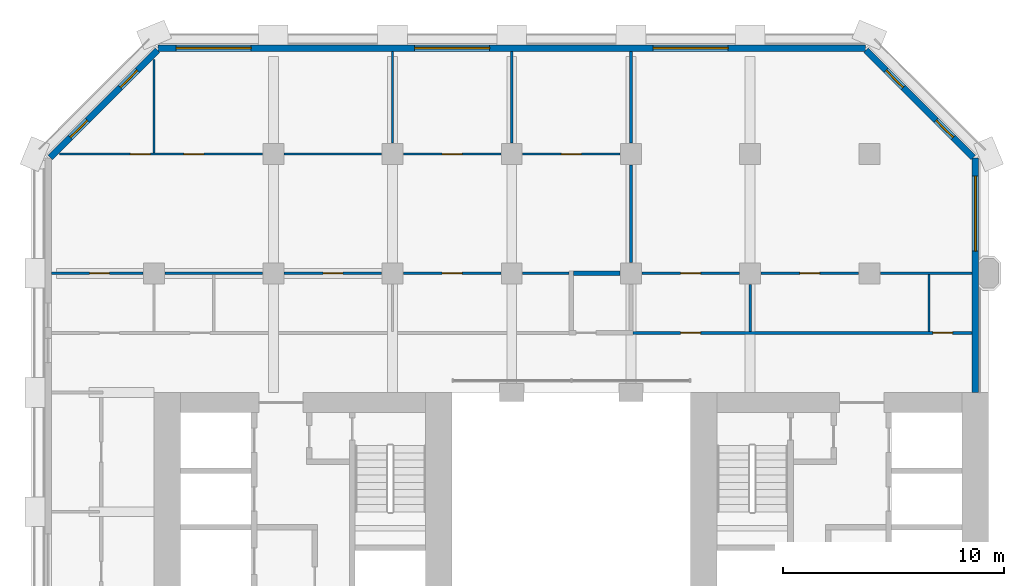
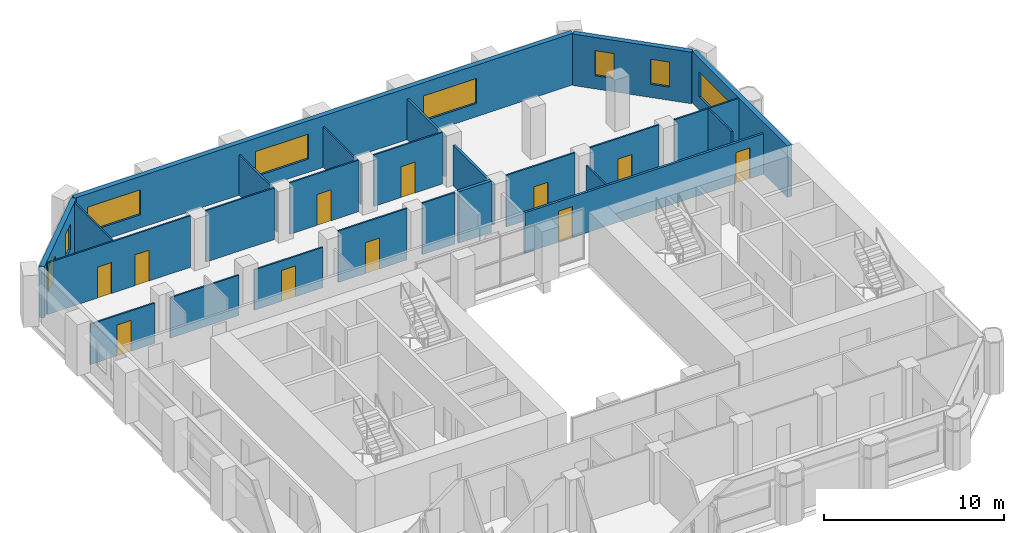
# One storey, part 9 of 13: 25 walls, 11 doors, 8 windows, 19 openings.
"""IFC4 building model written with IfcOpenShell, lengths in metres."""

from ifc_helpers import new_model, si_unit, direction, frame, frame_2d, origin, place, context, subcontext, project, spatial, rectangle, extrude, material, layer, layer_set, type_object, element, fill, save


model = new_model("IFC4")

# Units and contexts
model_context = context("Model", 3, precision=1e-05, world=origin(), true_north=direction((0.0, 1.0)))
body_context = subcontext(model_context, "Body", "Model", "MODEL_VIEW")
ifc_project = project(units=[si_unit("LENGTHUNIT", "METRE"), si_unit("AREAUNIT", "SQUARE_METRE"), si_unit("VOLUMEUNIT", "CUBIC_METRE"), si_unit("PLANEANGLEUNIT", "RADIAN"), si_unit("MASSUNIT", "GRAM", prefix="KILO")], contexts=[model_context])

# Site, building, storey
site_placement = place(None, origin())
site = spatial("IfcSite", under=ifc_project, at=site_placement, CompositionType="ELEMENT")
building_placement = place(site_placement, origin())
building = spatial("IfcBuilding", under=site, at=building_placement, Name="Tabaq Tower and Sports Hall", CompositionType="ELEMENT")
storey_placement = place(building_placement, frame((0.0, 0.0, 114.39990234375)))
storey = spatial("IfcBuildingStorey", under=building, at=storey_placement, Name="L27", CompositionType="ELEMENT", Elevation=114.39990234375)

# Wall
ifc_material_1 = material(Name="Blockwork", Category="masonry")
ifc_layer_1 = layer(ifc_material_1, 0.199951171875)
ifc_layer_set_1 = layer_set([ifc_layer_1], Name="Fire compartment wall 200 Blockwork")
wall_type_1 = type_object("IfcWallType", Name="Fire compartment wall 200 Blockwork", PredefinedType="PARTITIONING", material=ifc_layer_set_1)
wall_1_placement = place(storey_placement, frame((26.5048828125, 37.800048828125, 0.0), z_axis=(0.0, 0.0, 1.0), x_axis=(-1.0, 0.0, 0.0)))
element("IfcWall", 1, at=wall_1_placement, inside=storey, type_object=wall_type_1, Name="Compartment wall L27", PredefinedType="PARTITIONING", context=body_context, shape_type="SweptSolid", body=[
    extrude(rectangle(XDim=2.10498046875, YDim=0.199951171875, at=frame_2d((1.052490234375, 0.0))), origin(), (0.0, 0.0, 1.0), 3.5),
])

# Wall, opening, door
ifc_material_2 = material(Name="Gypsum board on steel studs", Category="steel")
ifc_layer_2 = layer(ifc_material_2, 0.10009765625)
ifc_layer_set_2 = layer_set([ifc_layer_2], Name="Partition 100 Gypsum board")
wall_type_2 = type_object("IfcWallType", Name="Partition 100 Gypsum board", PredefinedType="PARTITIONING", material=ifc_layer_set_2)
wall_2_placement = place(storey_placement, frame((4.905029296875, 37.800048828125, 0.0), z_axis=(0.0, 0.0, 1.0), x_axis=(-1.0, 0.0, 0.0)))
wall_2 = element("IfcWall", 2, at=wall_2_placement, inside=storey, type_object=wall_type_2, Name="Partition wall L27", PredefinedType="PARTITIONING", context=body_context, shape_type="SweptSolid", body=[
    extrude(rectangle(XDim=4.154052734375, YDim=0.10009765625, at=frame_2d((2.0771484375, 0.0))), origin(), (0.0, 0.0, 1.0), 2.75),
])
opening_1_placement = place(wall_2_placement, frame((1.530029296875, 0.0, 0.0)))
opening_1 = element("IfcOpeningElement", 3, at=opening_1_placement, cuts=wall_2, Name="Opening L27-028", PredefinedType="OPENING", context=body_context, shape_type="SweptSolid", body=[
    extrude(rectangle(XDim=0.89990234375, YDim=2.10009765625, at=frame_2d((0.449951171875, 1.050048828125))), frame((0.0, 0.050048828125, 0.0), z_axis=(0.0, -1.0, 0.0), x_axis=(1.0, 0.0, 0.0)), (0.0, 0.0, 1.0), 0.10009765625),
])
ifc_material_3 = material(Name="Timber leaf in steel frame", Category="steel")
door_type_1 = type_object("IfcDoorType", Name="Internal door 900 right hand", OperationType="SINGLE_SWING_RIGHT", PredefinedType="DOOR", material=ifc_material_3)
door_1_placement = place(opening_1_placement, origin())
door_1 = element("IfcDoor", 4, at=door_1_placement, inside=storey, type_object=door_type_1, Name="Internal door L27-028", OperationType="SINGLE_SWING_RIGHT", OverallHeight=2.10009765625, OverallWidth=0.89990234375, PredefinedType="DOOR", context=body_context, shape_type="SweptSolid", body=[
    extrude(rectangle(XDim=0.89990234375, YDim=2.10009765625, at=frame_2d((0.449951171875, 1.050048828125))), frame((0.0, 0.02490234375, 0.0), z_axis=(0.0, -1.0, 0.0), x_axis=(1.0, 0.0, 0.0)), (0.0, 0.0, 1.0), 0.050048828125),
])
fill(opening_1, door_1)

wall_3_placement = place(storey_placement, frame((15.705078125, 37.800048828125, 0.0), z_axis=(0.0, 0.0, 1.0), x_axis=(-1.0, 0.0, 0.0)))
wall_3 = element("IfcWall", 5, at=wall_3_placement, inside=storey, type_object=wall_type_2, Name="Partition wall L27", PredefinedType="PARTITIONING", context=body_context, shape_type="SweptSolid", body=[
    extrude(rectangle(XDim=4.41015625, YDim=0.10009765625, at=frame_2d((2.205078125, 0.0))), origin(), (0.0, 0.0, 1.0), 2.75),
])
opening_2_placement = place(wall_3_placement, frame((1.7548828125, 0.0, 0.0)))
opening_2 = element("IfcOpeningElement", 6, at=opening_2_placement, cuts=wall_3, Name="Opening L27-012", PredefinedType="OPENING", context=body_context, shape_type="SweptSolid", body=[
    extrude(rectangle(XDim=0.89990234375, YDim=2.10009765625, at=frame_2d((0.449951171875, 1.050048828125))), frame((0.0, 0.050048828125, 0.0), z_axis=(0.0, -1.0, 0.0), x_axis=(1.0, 0.0, 0.0)), (0.0, 0.0, 1.0), 0.10009765625),
])
ifc_material_4 = material(Name="Timber leaf in steel frame", Category="steel")
door_type_2 = type_object("IfcDoorType", Name="Internal door 900 left hand", OperationType="SINGLE_SWING_LEFT", PredefinedType="DOOR", material=ifc_material_4)
door_2_placement = place(opening_2_placement, origin())
door_2 = element("IfcDoor", 7, at=door_2_placement, inside=storey, type_object=door_type_2, Name="Internal door L27-012", OperationType="SINGLE_SWING_LEFT", OverallHeight=2.10009765625, OverallWidth=0.89990234375, PredefinedType="DOOR", context=body_context, shape_type="SweptSolid", body=[
    extrude(rectangle(XDim=0.89990234375, YDim=2.10009765625, at=frame_2d((0.449951171875, 1.050048828125))), frame((0.0, 0.02490234375, 0.0), z_axis=(0.0, -1.0, 0.0), x_axis=(1.0, 0.0, 0.0)), (0.0, 0.0, 1.0), 0.050048828125),
])
fill(opening_2, door_2)

# Walls
wall_4_placement = place(storey_placement, frame((10.304931640625, 37.800048828125, 0.0), z_axis=(0.0, 0.0, 1.0), x_axis=(-1.0, 0.0, 0.0)))
element("IfcWall", 8, at=wall_4_placement, inside=storey, type_object=wall_type_2, Name="Partition wall L27", PredefinedType="PARTITIONING", context=body_context, shape_type="SweptSolid", body=[
    extrude(rectangle(XDim=4.409912109375, YDim=0.10009765625, at=frame_2d((2.205078125, 0.0))), origin(), (0.0, 0.0, 1.0), 2.75),
])
wall_5_placement = place(storey_placement, frame((24.199951171875, 37.800048828125, 0.0), z_axis=(0.0, 0.0, 1.0), x_axis=(-1.0, 0.0, 0.0)))
element("IfcWall", 9, at=wall_5_placement, inside=storey, type_object=wall_type_2, Name="Partition wall L27", PredefinedType="PARTITIONING", context=body_context, shape_type="SweptSolid", body=[
    extrude(rectangle(XDim=2.10498046875, YDim=0.10009765625, at=frame_2d((1.052490234375, 0.0))), origin(), (0.0, 0.0, 1.0), 3.5),
])

# Wall, opening, door
wall_6_placement = place(storey_placement, frame((21.10498046875, 37.800048828125, 0.0), z_axis=(0.0, 0.0, 1.0), x_axis=(-1.0, 0.0, 0.0)))
wall_6 = element("IfcWall", 10, at=wall_6_placement, inside=storey, type_object=wall_type_2, Name="Partition wall L27", PredefinedType="PARTITIONING", context=body_context, shape_type="SweptSolid", body=[
    extrude(rectangle(XDim=4.409912109375, YDim=0.10009765625, at=frame_2d((2.205078125, 0.0))), origin(), (0.0, 0.0, 1.0), 3.5),
])
opening_3_placement = place(wall_6_placement, frame((1.7548828125, 0.0, 0.0)))
opening_3 = element("IfcOpeningElement", 11, at=opening_3_placement, cuts=wall_6, Name="Opening L27-013", PredefinedType="OPENING", context=body_context, shape_type="SweptSolid", body=[
    extrude(rectangle(XDim=0.89990234375, YDim=2.10009765625, at=frame_2d((0.449951171875, 1.050048828125))), frame((0.0, 0.050048828125, 0.0), z_axis=(0.0, -1.0, 0.0), x_axis=(1.0, 0.0, 0.0)), (0.0, 0.0, 1.0), 0.10009765625),
])
door_3_placement = place(opening_3_placement, origin())
door_3 = element("IfcDoor", 12, at=door_3_placement, inside=storey, type_object=door_type_1, Name="Internal door L27-013", OperationType="SINGLE_SWING_RIGHT", OverallHeight=2.10009765625, OverallWidth=0.89990234375, PredefinedType="DOOR", context=body_context, shape_type="SweptSolid", body=[
    extrude(rectangle(XDim=0.89990234375, YDim=2.10009765625, at=frame_2d((0.449951171875, 1.050048828125))), frame((0.0, 0.02490234375, 0.0), z_axis=(0.0, -1.0, 0.0), x_axis=(1.0, 0.0, 0.0)), (0.0, 0.0, 1.0), 0.050048828125),
])
fill(opening_3, door_3)

wall_7_placement = place(storey_placement, frame((26.5048828125, 43.199951171875, 0.0), z_axis=(0.0, 0.0, 1.0), x_axis=(-1.0, 0.0, 0.0)))
wall_7 = element("IfcWall", 13, at=wall_7_placement, inside=storey, type_object=wall_type_2, Name="Partition wall L27", PredefinedType="PARTITIONING", context=body_context, shape_type="SweptSolid", body=[
    extrude(rectangle(XDim=4.409912109375, YDim=0.10009765625, at=frame_2d((2.205078125, 0.0))), origin(), (0.0, 0.0, 1.0), 3.5),
])
opening_4_placement = place(wall_7_placement, frame((1.7548828125, 0.0, 0.0)))
opening_4 = element("IfcOpeningElement", 14, at=opening_4_placement, cuts=wall_7, Name="Opening L27-017", PredefinedType="OPENING", context=body_context, shape_type="SweptSolid", body=[
    extrude(rectangle(XDim=0.89990234375, YDim=2.10009765625, at=frame_2d((0.449951171875, 1.050048828125))), frame((0.0, 0.050048828125, 0.0), z_axis=(0.0, -1.0, 0.0), x_axis=(1.0, 0.0, 0.0)), (0.0, 0.0, 1.0), 0.10009765625),
])
door_4_placement = place(opening_4_placement, origin())
door_4 = element("IfcDoor", 15, at=door_4_placement, inside=storey, type_object=door_type_2, Name="Internal door L27-017", OperationType="SINGLE_SWING_LEFT", OverallHeight=2.10009765625, OverallWidth=0.89990234375, PredefinedType="DOOR", context=body_context, shape_type="SweptSolid", body=[
    extrude(rectangle(XDim=0.89990234375, YDim=2.10009765625, at=frame_2d((0.449951171875, 1.050048828125))), frame((0.0, 0.02490234375, 0.0), z_axis=(0.0, -1.0, 0.0), x_axis=(1.0, 0.0, 0.0)), (0.0, 0.0, 1.0), 0.050048828125),
])
fill(opening_4, door_4)

wall_8_placement = place(storey_placement, frame((21.10498046875, 43.199951171875, 0.0), z_axis=(0.0, 0.0, 1.0), x_axis=(-1.0, 0.0, 0.0)))
wall_8 = element("IfcWall", 16, at=wall_8_placement, inside=storey, type_object=wall_type_2, Name="Partition wall L27", PredefinedType="PARTITIONING", context=body_context, shape_type="SweptSolid", body=[
    extrude(rectangle(XDim=4.409912109375, YDim=0.10009765625, at=frame_2d((2.205078125, 0.0))), origin(), (0.0, 0.0, 1.0), 3.5),
])
opening_5_placement = place(wall_8_placement, frame((1.7548828125, 0.0, 0.0)))
opening_5 = element("IfcOpeningElement", 17, at=opening_5_placement, cuts=wall_8, Name="Opening L27-016", PredefinedType="OPENING", context=body_context, shape_type="SweptSolid", body=[
    extrude(rectangle(XDim=0.89990234375, YDim=2.10009765625, at=frame_2d((0.449951171875, 1.050048828125))), frame((0.0, 0.050048828125, 0.0), z_axis=(0.0, -1.0, 0.0), x_axis=(1.0, 0.0, 0.0)), (0.0, 0.0, 1.0), 0.10009765625),
])
door_5_placement = place(opening_5_placement, origin())
door_5 = element("IfcDoor", 18, at=door_5_placement, inside=storey, type_object=door_type_2, Name="Internal door L27-016", OperationType="SINGLE_SWING_LEFT", OverallHeight=2.10009765625, OverallWidth=0.89990234375, PredefinedType="DOOR", context=body_context, shape_type="SweptSolid", body=[
    extrude(rectangle(XDim=0.89990234375, YDim=2.10009765625, at=frame_2d((0.449951171875, 1.050048828125))), frame((0.0, 0.02490234375, 0.0), z_axis=(0.0, -1.0, 0.0), x_axis=(1.0, 0.0, 0.0)), (0.0, 0.0, 1.0), 0.050048828125),
])
fill(opening_5, door_5)

# Wall
wall_9_placement = place(storey_placement, frame((15.705078125, 43.199951171875, 0.0), z_axis=(0.0, 0.0, 1.0), x_axis=(-1.0, 0.0, 0.0)))
element("IfcWall", 19, at=wall_9_placement, inside=storey, type_object=wall_type_2, Name="Partition wall L27", PredefinedType="PARTITIONING", context=body_context, shape_type="SweptSolid", body=[
    extrude(rectangle(XDim=4.41015625, YDim=0.10009765625, at=frame_2d((2.205078125, 0.0))), origin(), (0.0, 0.0, 1.0), 3.5),
])

# Wall, openings, doors
wall_10_placement = place(storey_placement, frame((10.304931640625, 43.199951171875, 0.0), z_axis=(0.0, 0.0, 1.0), x_axis=(-1.0, 0.0, 0.0)))
wall_10 = element("IfcWall", 20, at=wall_10_placement, inside=storey, type_object=wall_type_2, Name="Partition wall L27", PredefinedType="PARTITIONING", context=body_context, shape_type="SweptSolid", body=[
    extrude(rectangle(XDim=9.19287109375, YDim=0.10009765625, at=frame_2d((4.596435546875, 0.0))), origin(), (0.0, 0.0, 1.0), 3.5),
])
opening_6_placement = place(wall_10_placement, frame((5.074951171875, 0.0, 0.0)))
opening_6 = element("IfcOpeningElement", 21, at=opening_6_placement, cuts=wall_10, Name="Opening L27-014", PredefinedType="OPENING", context=body_context, shape_type="SweptSolid", body=[
    extrude(rectangle(XDim=0.89990234375, YDim=2.10009765625, at=frame_2d((0.449951171875, 1.050048828125))), frame((0.0, 0.050048828125, 0.0), z_axis=(0.0, -1.0, 0.0), x_axis=(1.0, 0.0, 0.0)), (0.0, 0.0, 1.0), 0.10009765625),
])
opening_7_placement = place(wall_10_placement, frame((2.655029296875, 0.0, 0.0)))
opening_7 = element("IfcOpeningElement", 22, at=opening_7_placement, cuts=wall_10, Name="Opening L27-015", PredefinedType="OPENING", context=body_context, shape_type="SweptSolid", body=[
    extrude(rectangle(XDim=0.89990234375, YDim=2.10009765625, at=frame_2d((0.449951171875, 1.050048828125))), frame((0.0, 0.050048828125, 0.0), z_axis=(0.0, -1.0, 0.0), x_axis=(1.0, 0.0, 0.0)), (0.0, 0.0, 1.0), 0.10009765625),
])
door_6_placement = place(opening_6_placement, origin())
door_6 = element("IfcDoor", 23, at=door_6_placement, inside=storey, type_object=door_type_2, Name="Internal door L27-014", OperationType="SINGLE_SWING_LEFT", OverallHeight=2.10009765625, OverallWidth=0.89990234375, PredefinedType="DOOR", context=body_context, shape_type="SweptSolid", body=[
    extrude(rectangle(XDim=0.89990234375, YDim=2.10009765625, at=frame_2d((0.449951171875, 1.050048828125))), frame((0.0, 0.02490234375, 0.0), z_axis=(0.0, -1.0, 0.0), x_axis=(1.0, 0.0, 0.0)), (0.0, 0.0, 1.0), 0.050048828125),
])
fill(opening_6, door_6)
door_7_placement = place(opening_7_placement, origin())
door_7 = element("IfcDoor", 24, at=door_7_placement, inside=storey, type_object=door_type_2, Name="Internal door L27-015", OperationType="SINGLE_SWING_LEFT", OverallHeight=2.10009765625, OverallWidth=0.89990234375, PredefinedType="DOOR", context=body_context, shape_type="SweptSolid", body=[
    extrude(rectangle(XDim=0.89990234375, YDim=2.10009765625, at=frame_2d((0.449951171875, 1.050048828125))), frame((0.0, 0.02490234375, 0.0), z_axis=(0.0, -1.0, 0.0), x_axis=(1.0, 0.0, 0.0)), (0.0, 0.0, 1.0), 0.050048828125),
])
fill(opening_7, door_7)

# Walls
wall_11_placement = place(storey_placement, frame((5.39990234375, 43.25, 0.0), z_axis=(0.0, 0.0, 1.0), x_axis=(0.0, 1.0, 0.0)))
element("IfcWall", 25, at=wall_11_placement, inside=storey, type_object=wall_type_2, Name="Partition wall L27", PredefinedType="PARTITIONING", context=body_context, shape_type="SweptSolid", body=[
    extrude(rectangle(XDim=4.23779296875, YDim=0.10009765625, at=frame_2d((2.118896484375, 0.0))), origin(), (0.0, 0.0, 1.0), 3.5),
])
for number, where, z_axis, x_axis, name in (
    (26, (16.199951171875, 43.695068359375, 0.0), (0.0, 0.0, 1.0), (0.0, 1.0, 0.0), "Partition wall L27"),
    (27, (21.60009765625, 43.695068359375, 0.0), (0.0, 0.0, 1.0), (0.0, 1.0, 0.0), "Partition wall L27"),
):
    element("IfcWall", number, at=place(storey_placement, frame(where, z_axis=z_axis, x_axis=x_axis)), inside=storey, type_object=wall_type_2, Name=name, PredefinedType="PARTITIONING", context=body_context, shape_type="SweptSolid", body=[
        extrude(rectangle(XDim=4.154052734375, YDim=0.10009765625, at=frame_2d((2.0771484375, 0.0))), origin(), (0.0, 0.0, 1.0), 2.75),
    ])
wall_12_placement = place(storey_placement, frame((32.39990234375, 35.175048828125, 0.0), z_axis=(0.0, 0.0, 1.0), x_axis=(0.0, 1.0, 0.0)))
element("IfcWall", 28, at=wall_12_placement, inside=storey, type_object=wall_type_2, Name="Partition wall L27", PredefinedType="PARTITIONING", context=body_context, shape_type="SweptSolid", body=[
    extrude(rectangle(XDim=2.1298828125, YDim=0.10009765625, at=frame_2d((1.06494140625, 0.0))), origin(), (0.0, 0.0, 1.0), 2.75),
])

# Wall, opening, door
wall_13_placement = place(storey_placement, frame((31.905029296875, 37.800048828125, 0.0), z_axis=(0.0, 0.0, 1.0), x_axis=(-1.0, 0.0, 0.0)))
wall_13 = element("IfcWall", 29, at=wall_13_placement, inside=storey, type_object=wall_type_2, Name="Partition wall L27", PredefinedType="PARTITIONING", context=body_context, shape_type="SweptSolid", body=[
    extrude(rectangle(XDim=4.409912109375, YDim=0.10009765625, at=frame_2d((2.205078125, 0.0))), origin(), (0.0, 0.0, 1.0), 3.5),
])
opening_8_placement = place(wall_13_placement, frame((1.7548828125, 0.0, 0.0)))
opening_8 = element("IfcOpeningElement", 30, at=opening_8_placement, cuts=wall_13, Name="Opening L27-029", PredefinedType="OPENING", context=body_context, shape_type="SweptSolid", body=[
    extrude(rectangle(XDim=0.89990234375, YDim=2.10009765625, at=frame_2d((0.449951171875, 1.050048828125))), frame((0.0, 0.050048828125, 0.0), z_axis=(0.0, -1.0, 0.0), x_axis=(1.0, 0.0, 0.0)), (0.0, 0.0, 1.0), 0.10009765625),
])
door_8_placement = place(opening_8_placement, origin())
door_8 = element("IfcDoor", 31, at=door_8_placement, inside=storey, type_object=door_type_2, Name="Internal door L27-029", OperationType="SINGLE_SWING_LEFT", OverallHeight=2.10009765625, OverallWidth=0.89990234375, PredefinedType="DOOR", context=body_context, shape_type="SweptSolid", body=[
    extrude(rectangle(XDim=0.89990234375, YDim=2.10009765625, at=frame_2d((0.449951171875, 1.050048828125))), frame((0.0, 0.02490234375, 0.0), z_axis=(0.0, -1.0, 0.0), x_axis=(1.0, 0.0, 0.0)), (0.0, 0.0, 1.0), 0.050048828125),
])
fill(opening_8, door_8)

# Wall
wall_14_placement = place(storey_placement, frame((40.5, 35.175048828125, 0.0), z_axis=(0.0, 0.0, 1.0), x_axis=(0.0, 1.0, 0.0)))
element("IfcWall", 32, at=wall_14_placement, inside=storey, type_object=wall_type_2, Name="Partition wall L27", PredefinedType="PARTITIONING", context=body_context, shape_type="SweptSolid", body=[
    extrude(rectangle(XDim=2.574951171875, YDim=0.10009765625, at=frame_2d((1.28759765625, 0.0))), origin(), (0.0, 0.0, 1.0), 3.5),
])

# Wall, opening, door
wall_15_placement = place(storey_placement, frame((37.304931640625, 37.800048828125, 0.0), z_axis=(0.0, 0.0, 1.0), x_axis=(-1.0, 0.0, 0.0)))
wall_15 = element("IfcWall", 33, at=wall_15_placement, inside=storey, type_object=wall_type_2, Name="Partition wall L27", PredefinedType="PARTITIONING", context=body_context, shape_type="SweptSolid", body=[
    extrude(rectangle(XDim=4.409912109375, YDim=0.10009765625, at=frame_2d((2.205078125, 0.0))), origin(), (0.0, 0.0, 1.0), 3.5),
])
opening_9_placement = place(wall_15_placement, frame((1.7548828125, 0.0, 0.0)))
opening_9 = element("IfcOpeningElement", 34, at=opening_9_placement, cuts=wall_15, Name="Opening L27-018", PredefinedType="OPENING", context=body_context, shape_type="SweptSolid", body=[
    extrude(rectangle(XDim=0.89990234375, YDim=2.10009765625, at=frame_2d((0.449951171875, 1.050048828125))), frame((0.0, 0.050048828125, 0.0), z_axis=(0.0, -1.0, 0.0), x_axis=(1.0, 0.0, 0.0)), (0.0, 0.0, 1.0), 0.10009765625),
])
door_9_placement = place(opening_9_placement, origin())
door_9 = element("IfcDoor", 35, at=door_9_placement, inside=storey, type_object=door_type_1, Name="Internal door L27-018", OperationType="SINGLE_SWING_RIGHT", OverallHeight=2.10009765625, OverallWidth=0.89990234375, PredefinedType="DOOR", context=body_context, shape_type="SweptSolid", body=[
    extrude(rectangle(XDim=0.89990234375, YDim=2.10009765625, at=frame_2d((0.449951171875, 1.050048828125))), frame((0.0, 0.02490234375, 0.0), z_axis=(0.0, -1.0, 0.0), x_axis=(1.0, 0.0, 0.0)), (0.0, 0.0, 1.0), 0.050048828125),
])
fill(opening_9, door_9)

# Wall
wall_16_placement = place(storey_placement, frame((42.448974609375, 37.800048828125, 0.0), z_axis=(0.0, 0.0, 1.0), x_axis=(-1.0, 0.0, 0.0)))
element("IfcWall", 36, at=wall_16_placement, inside=storey, type_object=wall_type_2, Name="Partition wall L27", PredefinedType="PARTITIONING", context=body_context, shape_type="SweptSolid", body=[
    extrude(rectangle(XDim=4.154052734375, YDim=0.10009765625, at=frame_2d((2.0771484375, 0.0))), origin(), (0.0, 0.0, 1.0), 3.5),
])

# Wall, openings, doors
ifc_material_5 = material(Name="Blockwork", Category="masonry")
ifc_layer_3 = layer(ifc_material_5, 0.14990234375)
ifc_layer_set_3 = layer_set([ifc_layer_3], Name="Separating wall 150 Blockwork")
wall_type_3 = type_object("IfcWallType", Name="Separating wall 150 Blockwork", PredefinedType="PARTITIONING", material=ifc_layer_set_3)
wall_17_placement = place(storey_placement, frame((42.448974609375, 35.10009765625, 0.0), z_axis=(0.0, 0.0, 1.0), x_axis=(-1.0, 0.0, 0.0)))
wall_17 = element("IfcWall", 37, at=wall_17_placement, inside=storey, type_object=wall_type_3, Name="Separating wall L27", PredefinedType="PARTITIONING", context=body_context, shape_type="SweptSolid", body=[
    extrude(rectangle(XDim=15.348876953125, YDim=0.14990234375, at=frame_2d((7.67431640625, 0.0))), origin(), (0.0, 0.0, 1.0), 2.75),
])
opening_10_placement = place(wall_17_placement, frame((0.87890625, 0.0, 0.0)))
opening_10 = element("IfcOpeningElement", 38, at=opening_10_placement, cuts=wall_17, Name="Opening L27-003", PredefinedType="OPENING", context=body_context, shape_type="SweptSolid", body=[
    extrude(rectangle(XDim=0.89990234375, YDim=2.10009765625, at=frame_2d((0.449951171875, 1.050048828125))), frame((0.0, 0.074951171875, 0.0), z_axis=(0.0, -1.0, 0.0), x_axis=(1.0, 0.0, 0.0)), (0.0, 0.0, 1.0), 0.14990234375),
])
opening_11_placement = place(wall_17_placement, frame((12.299072265625, 0.0, 0.0)))
opening_11 = element("IfcOpeningElement", 39, at=opening_11_placement, cuts=wall_17, Name="Opening L27-026", PredefinedType="OPENING", context=body_context, shape_type="SweptSolid", body=[
    extrude(rectangle(XDim=0.89990234375, YDim=2.10009765625, at=frame_2d((0.449951171875, 1.050048828125))), frame((0.0, 0.074951171875, 0.0), z_axis=(0.0, -1.0, 0.0), x_axis=(1.0, 0.0, 0.0)), (0.0, 0.0, 1.0), 0.14990234375),
])
ifc_material_6 = material(Name="Steel fire door", Category="steel")
door_type_3 = type_object("IfcDoorType", Name="Entrance door 900 right hand", OperationType="SINGLE_SWING_RIGHT", PredefinedType="DOOR", material=ifc_material_6)
door_10_placement = place(opening_10_placement, origin())
door_10 = element("IfcDoor", 40, at=door_10_placement, inside=storey, type_object=door_type_3, Name="Entrance door L27-003", OperationType="SINGLE_SWING_RIGHT", OverallHeight=2.10009765625, OverallWidth=0.89990234375, PredefinedType="DOOR", context=body_context, shape_type="SweptSolid", body=[
    extrude(rectangle(XDim=0.89990234375, YDim=2.10009765625, at=frame_2d((0.449951171875, 1.050048828125))), frame((0.0, 0.02490234375, 0.0), z_axis=(0.0, -1.0, 0.0), x_axis=(1.0, 0.0, 0.0)), (0.0, 0.0, 1.0), 0.050048828125),
])
fill(opening_10, door_10)
door_11_placement = place(opening_11_placement, origin())
door_11 = element("IfcDoor", 41, at=door_11_placement, inside=storey, type_object=door_type_3, Name="Entrance door L27-026", OperationType="SINGLE_SWING_RIGHT", OverallHeight=2.10009765625, OverallWidth=0.89990234375, PredefinedType="DOOR", context=body_context, shape_type="SweptSolid", body=[
    extrude(rectangle(XDim=0.89990234375, YDim=2.10009765625, at=frame_2d((0.449951171875, 1.050048828125))), frame((0.0, 0.02490234375, 0.0), z_axis=(0.0, -1.0, 0.0), x_axis=(1.0, 0.0, 0.0)), (0.0, 0.0, 1.0), 0.050048828125),
])
fill(opening_11, door_11)

# Walls
wall_18_placement = place(storey_placement, frame((27.0, 38.294921875, 0.0), z_axis=(0.0, 0.0, 1.0), x_axis=(0.0, 1.0, 0.0)))
element("IfcWall", 42, at=wall_18_placement, inside=storey, type_object=wall_type_3, Name="Separating wall L27", PredefinedType="PARTITIONING", context=body_context, shape_type="SweptSolid", body=[
    extrude(rectangle(XDim=4.41015625, YDim=0.14990234375, at=frame_2d((2.205078125, 0.0))), origin(), (0.0, 0.0, 1.0), 2.75),
])
wall_19_placement = place(storey_placement, frame((27.0, 43.695068359375, 0.0), z_axis=(0.0, 0.0, 1.0), x_axis=(0.0, 1.0, 0.0)))
element("IfcWall", 43, at=wall_19_placement, inside=storey, type_object=wall_type_3, Name="Separating wall L27", PredefinedType="PARTITIONING", context=body_context, shape_type="SweptSolid", body=[
    extrude(rectangle(XDim=4.154052734375, YDim=0.14990234375, at=frame_2d((2.0771484375, 0.0))), origin(), (0.0, 0.0, 1.0), 2.75),
])

# Wall, opening, window
ifc_material_7 = material(Name="White precast concrete C60/75", Category="concrete")
ifc_layer_4 = layer(ifc_material_7, 0.300048828125)
ifc_layer_set_4 = layer_set([ifc_layer_4], Name="White precast concrete C60/75 external wall 300")
wall_type_4 = type_object("IfcWallType", Name="White precast concrete C60/75 external wall 300", PredefinedType="SOLIDWALL", material=ifc_layer_set_4)
wall_20_placement = place(storey_placement, frame((42.60009765625, 32.39990234375, 0.0), z_axis=(0.0, 0.0, 1.0), x_axis=(0.0, 1.0, 0.0)))
wall_20 = element("IfcWall", 44, at=wall_20_placement, inside=storey, type_object=wall_type_4, Name="External Wall L27 E", PredefinedType="SOLIDWALL", context=body_context, shape_type="SweptSolid", body=[
    extrude(rectangle(XDim=10.61376953125, YDim=0.300048828125, at=frame_2d((5.306884765625, 0.0))), origin(), (0.0, 0.0, 1.0), 3.5),
])
opening_12_placement = place(wall_20_placement, frame((6.39990234375, 0.0, 0.89990234375)))
opening_12 = element("IfcOpeningElement", 45, at=opening_12_placement, cuts=wall_20, Name="Opening W1A", PredefinedType="OPENING", context=body_context, shape_type="SweptSolid", body=[
    extrude(rectangle(XDim=3.39990234375, YDim=1.699951171875, at=frame_2d((1.699951171875, 0.85009765625))), frame((0.0, 0.16015625, 0.0), z_axis=(0.0, -1.0, 0.0), x_axis=(1.0, 0.0, 0.0)), (0.0, 0.0, 1.0), 0.320068359375),
])
ifc_material_8 = material(Name="Aluminium framed clear glazing", Category="aluminium")
window_type_1 = type_object("IfcWindowType", Name="Window W1A", PartitioningType="SINGLE_PANEL", PredefinedType="WINDOW", material=ifc_material_8)
window_1_placement = place(opening_12_placement, origin())
window_1 = element("IfcWindow", 46, at=window_1_placement, inside=storey, type_object=window_type_1, Name="Window W1A L27", OverallHeight=1.699951171875, OverallWidth=3.39990234375, PartitioningType="SINGLE_PANEL", PredefinedType="WINDOW", context=body_context, shape_type="SweptSolid", body=[
    extrude(rectangle(XDim=3.39990234375, YDim=1.699951171875, at=frame_2d((1.699951171875, 0.85009765625))), frame((0.0, 0.030029296875, 0.0), z_axis=(0.0, -1.0, 0.0), x_axis=(1.0, 0.0, 0.0)), (0.0, 0.0, 1.0), 0.06005859375),
])
fill(opening_12, window_1)

# Wall, openings, windows
wall_21_placement = place(storey_placement, frame((42.5009765625, 43.050537109375, 0.0), z_axis=(0.0, 0.0, 1.0), x_axis=(-0.707106781187, 0.707106781187, 0.0)))
wall_21 = element("IfcWall", 47, at=wall_21_placement, inside=storey, type_object=wall_type_4, Name="External Wall L27 NE", PredefinedType="SOLIDWALL", context=body_context, shape_type="SweptSolid", body=[
    extrude(rectangle(XDim=6.85986328125, YDim=0.300048828125, at=frame_2d((3.429931640625, 0.0))), origin(), (0.0, 0.0, 1.0), 3.5),
])
opening_13_placement = place(wall_21_placement, frame((1.27978515625, 0.0, 0.89990234375)))
opening_13 = element("IfcOpeningElement", 48, at=opening_13_placement, cuts=wall_21, Name="Opening W1B", PredefinedType="OPENING", context=body_context, shape_type="SweptSolid", body=[
    extrude(rectangle(XDim=1.10009765625, YDim=1.699951171875, at=frame_2d((0.550048828125, 0.85009765625))), frame((0.0, 0.16015625, 0.0), z_axis=(0.0, -1.0, 0.0), x_axis=(1.0, 0.0, 0.0)), (0.0, 0.0, 1.0), 0.320068359375),
])
opening_14_placement = place(wall_21_placement, frame((4.479736328125, 0.0, 0.89990234375)))
opening_14 = element("IfcOpeningElement", 49, at=opening_14_placement, cuts=wall_21, Name="Opening W1B", PredefinedType="OPENING", context=body_context, shape_type="SweptSolid", body=[
    extrude(rectangle(XDim=1.10009765625, YDim=1.699951171875, at=frame_2d((0.550048828125, 0.85009765625))), frame((0.0, 0.16015625, 0.0), z_axis=(0.0, -1.0, 0.0), x_axis=(1.0, 0.0, 0.0)), (0.0, 0.0, 1.0), 0.320068359375),
])
ifc_material_9 = material(Name="Aluminium framed clear glazing", Category="aluminium")
window_type_2 = type_object("IfcWindowType", Name="Window W1B", PartitioningType="SINGLE_PANEL", PredefinedType="WINDOW", material=ifc_material_9)
window_2_placement = place(opening_13_placement, origin())
window_2 = element("IfcWindow", 50, at=window_2_placement, inside=storey, type_object=window_type_2, Name="Window W1B L27", OverallHeight=1.699951171875, OverallWidth=1.10009765625, PartitioningType="SINGLE_PANEL", PredefinedType="WINDOW", context=body_context, shape_type="SweptSolid", body=[
    extrude(rectangle(XDim=1.10009765625, YDim=1.699951171875, at=frame_2d((0.550048828125, 0.85009765625))), frame((0.0, 0.030029296875, 0.0), z_axis=(0.0, -1.0, 0.0), x_axis=(1.0, 0.0, 0.0)), (0.0, 0.0, 1.0), 0.06005859375),
])
fill(opening_13, window_2)
window_3_placement = place(opening_14_placement, origin())
window_3 = element("IfcWindow", 51, at=window_3_placement, inside=storey, type_object=window_type_2, Name="Window W1B L27", OverallHeight=1.699951171875, OverallWidth=1.10009765625, PartitioningType="SINGLE_PANEL", PredefinedType="WINDOW", context=body_context, shape_type="SweptSolid", body=[
    extrude(rectangle(XDim=1.10009765625, YDim=1.699951171875, at=frame_2d((0.550048828125, 0.85009765625))), frame((0.0, 0.030029296875, 0.0), z_axis=(0.0, -1.0, 0.0), x_axis=(1.0, 0.0, 0.0)), (0.0, 0.0, 1.0), 0.06005859375),
])
fill(opening_14, window_3)

wall_22_placement = place(storey_placement, frame((37.613525390625, 48.0, 0.0), z_axis=(0.0, 0.0, 1.0), x_axis=(-1.0, 0.0, 0.0)))
wall_22 = element("IfcWall", 52, at=wall_22_placement, inside=storey, type_object=wall_type_4, Name="External Wall L27 N", PredefinedType="SOLIDWALL", context=body_context, shape_type="SweptSolid", body=[
    extrude(rectangle(XDim=32.027099609375, YDim=0.300048828125, at=frame_2d((16.013671875, 0.0))), origin(), (0.0, 0.0, 1.0), 3.5),
])
opening_15_placement = place(wall_22_placement, frame((6.213623046875, 0.0, 0.89990234375)))
opening_15 = element("IfcOpeningElement", 53, at=opening_15_placement, cuts=wall_22, Name="Opening W1A", PredefinedType="OPENING", context=body_context, shape_type="SweptSolid", body=[
    extrude(rectangle(XDim=3.39990234375, YDim=1.699951171875, at=frame_2d((1.699951171875, 0.85009765625))), frame((0.0, 0.16015625, 0.0), z_axis=(0.0, -1.0, 0.0), x_axis=(1.0, 0.0, 0.0)), (0.0, 0.0, 1.0), 0.320068359375),
])
opening_16_placement = place(wall_22_placement, frame((17.013671875, 0.0, 0.89990234375)))
opening_16 = element("IfcOpeningElement", 54, at=opening_16_placement, cuts=wall_22, Name="Opening W1A", PredefinedType="OPENING", context=body_context, shape_type="SweptSolid", body=[
    extrude(rectangle(XDim=3.39990234375, YDim=1.699951171875, at=frame_2d((1.699951171875, 0.85009765625))), frame((0.0, 0.16015625, 0.0), z_axis=(0.0, -1.0, 0.0), x_axis=(1.0, 0.0, 0.0)), (0.0, 0.0, 1.0), 0.320068359375),
])
opening_17_placement = place(wall_22_placement, frame((27.813720703125, 0.0, 0.89990234375)))
opening_17 = element("IfcOpeningElement", 55, at=opening_17_placement, cuts=wall_22, Name="Opening W1A", PredefinedType="OPENING", context=body_context, shape_type="SweptSolid", body=[
    extrude(rectangle(XDim=3.39990234375, YDim=1.699951171875, at=frame_2d((1.699951171875, 0.85009765625))), frame((0.0, 0.16015625, 0.0), z_axis=(0.0, -1.0, 0.0), x_axis=(1.0, 0.0, 0.0)), (0.0, 0.0, 1.0), 0.320068359375),
])
window_4_placement = place(opening_15_placement, origin())
window_4 = element("IfcWindow", 56, at=window_4_placement, inside=storey, type_object=window_type_1, Name="Window W1A L27", OverallHeight=1.699951171875, OverallWidth=3.39990234375, PartitioningType="SINGLE_PANEL", PredefinedType="WINDOW", context=body_context, shape_type="SweptSolid", body=[
    extrude(rectangle(XDim=3.39990234375, YDim=1.699951171875, at=frame_2d((1.699951171875, 0.85009765625))), frame((0.0, 0.030029296875, 0.0), z_axis=(0.0, -1.0, 0.0), x_axis=(1.0, 0.0, 0.0)), (0.0, 0.0, 1.0), 0.06005859375),
])
fill(opening_15, window_4)
window_5_placement = place(opening_16_placement, origin())
window_5 = element("IfcWindow", 57, at=window_5_placement, inside=storey, type_object=window_type_1, Name="Window W1A L27", OverallHeight=1.699951171875, OverallWidth=3.39990234375, PartitioningType="SINGLE_PANEL", PredefinedType="WINDOW", context=body_context, shape_type="SweptSolid", body=[
    extrude(rectangle(XDim=3.39990234375, YDim=1.699951171875, at=frame_2d((1.699951171875, 0.85009765625))), frame((0.0, 0.030029296875, 0.0), z_axis=(0.0, -1.0, 0.0), x_axis=(1.0, 0.0, 0.0)), (0.0, 0.0, 1.0), 0.06005859375),
])
fill(opening_16, window_5)
window_6_placement = place(opening_17_placement, origin())
window_6 = element("IfcWindow", 58, at=window_6_placement, inside=storey, type_object=window_type_1, Name="Window W1A L27", OverallHeight=1.699951171875, OverallWidth=3.39990234375, PartitioningType="SINGLE_PANEL", PredefinedType="WINDOW", context=body_context, shape_type="SweptSolid", body=[
    extrude(rectangle(XDim=3.39990234375, YDim=1.699951171875, at=frame_2d((1.699951171875, 0.85009765625))), frame((0.0, 0.030029296875, 0.0), z_axis=(0.0, -1.0, 0.0), x_axis=(1.0, 0.0, 0.0)), (0.0, 0.0, 1.0), 0.06005859375),
])
fill(opening_17, window_6)

wall_23_placement = place(storey_placement, frame((5.549560546875, 47.901123046875, 0.0), z_axis=(0.0, 0.0, 1.0), x_axis=(-0.707106781187, -0.707106781187, 0.0)))
wall_23 = element("IfcWall", 59, at=wall_23_placement, inside=storey, type_object=wall_type_4, Name="External Wall L27 NW", PredefinedType="SOLIDWALL", context=body_context, shape_type="SweptSolid", body=[
    extrude(rectangle(XDim=6.85986328125, YDim=0.300048828125, at=frame_2d((3.429931640625, 0.0))), origin(), (0.0, 0.0, 1.0), 3.5),
])
opening_18_placement = place(wall_23_placement, frame((1.27978515625, 0.0, 0.89990234375)))
opening_18 = element("IfcOpeningElement", 60, at=opening_18_placement, cuts=wall_23, Name="Opening W1B", PredefinedType="OPENING", context=body_context, shape_type="SweptSolid", body=[
    extrude(rectangle(XDim=1.10009765625, YDim=1.699951171875, at=frame_2d((0.550048828125, 0.85009765625))), frame((0.0, 0.16015625, 0.0), z_axis=(0.0, -1.0, 0.0), x_axis=(1.0, 0.0, 0.0)), (0.0, 0.0, 1.0), 0.320068359375),
])
opening_19_placement = place(wall_23_placement, frame((4.479736328125, 0.0, 0.89990234375)))
opening_19 = element("IfcOpeningElement", 61, at=opening_19_placement, cuts=wall_23, Name="Opening W1B", PredefinedType="OPENING", context=body_context, shape_type="SweptSolid", body=[
    extrude(rectangle(XDim=1.10009765625, YDim=1.699951171875, at=frame_2d((0.550048828125, 0.85009765625))), frame((0.0, 0.16015625, 0.0), z_axis=(0.0, -1.0, 0.0), x_axis=(1.0, 0.0, 0.0)), (0.0, 0.0, 1.0), 0.320068359375),
])
window_7_placement = place(opening_18_placement, origin())
window_7 = element("IfcWindow", 62, at=window_7_placement, inside=storey, type_object=window_type_2, Name="Window W1B L27", OverallHeight=1.699951171875, OverallWidth=1.10009765625, PartitioningType="SINGLE_PANEL", PredefinedType="WINDOW", context=body_context, shape_type="SweptSolid", body=[
    extrude(rectangle(XDim=1.10009765625, YDim=1.699951171875, at=frame_2d((0.550048828125, 0.85009765625))), frame((0.0, 0.030029296875, 0.0), z_axis=(0.0, -1.0, 0.0), x_axis=(1.0, 0.0, 0.0)), (0.0, 0.0, 1.0), 0.06005859375),
])
fill(opening_18, window_7)
window_8_placement = place(opening_19_placement, origin())
window_8 = element("IfcWindow", 63, at=window_8_placement, inside=storey, type_object=window_type_2, Name="Window W1B L27", OverallHeight=1.699951171875, OverallWidth=1.10009765625, PartitioningType="SINGLE_PANEL", PredefinedType="WINDOW", context=body_context, shape_type="SweptSolid", body=[
    extrude(rectangle(XDim=1.10009765625, YDim=1.699951171875, at=frame_2d((0.550048828125, 0.85009765625))), frame((0.0, 0.030029296875, 0.0), z_axis=(0.0, -1.0, 0.0), x_axis=(1.0, 0.0, 0.0)), (0.0, 0.0, 1.0), 0.06005859375),
])
fill(opening_19, window_8)

save(model, "model.ifc")
